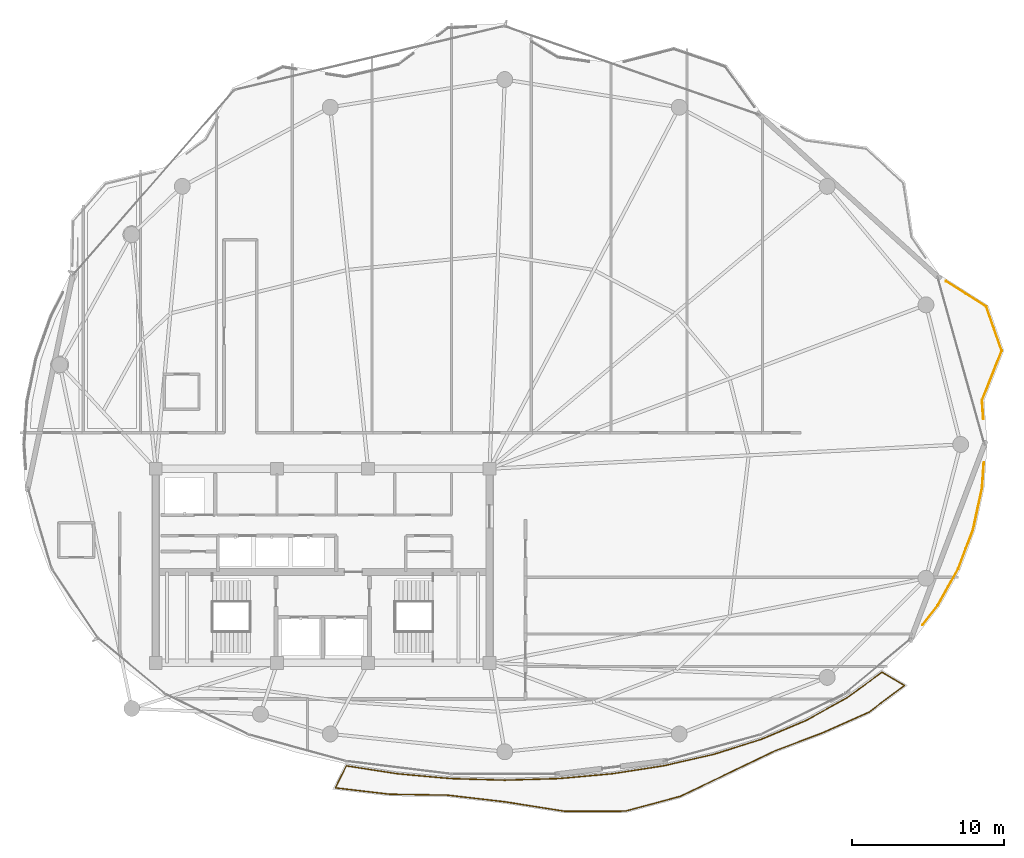
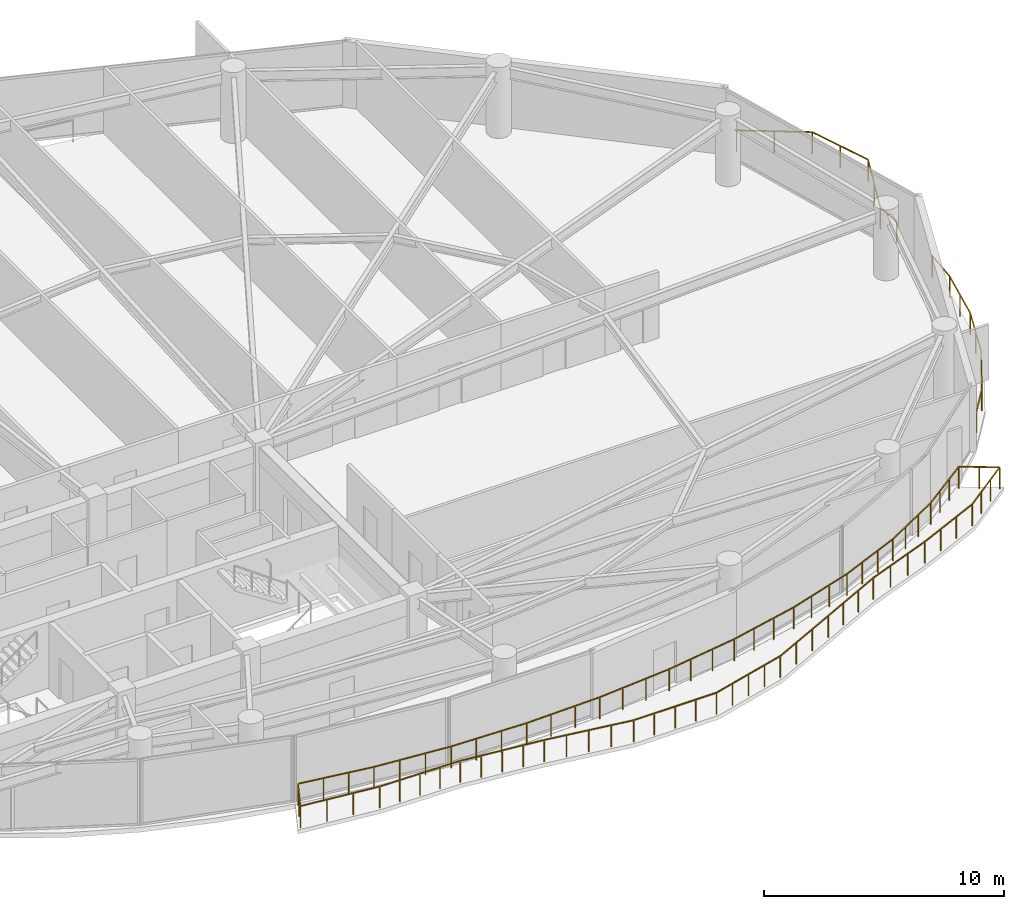
# One storey, part 28 of 29: 3 railings.
"""IFC4 building model written with IfcOpenShell, lengths in metres."""

from ifc_helpers import new_model, si_unit, direction, frame, origin, origin_2d, place, context, subcontext, project, spatial, rectangle, extrude, material, type_object, element, save


model = new_model("IFC4")

# Units and contexts
model_context = context("Model", 3, precision=1e-05, world=origin(), true_north=direction((0.0, 1.0)))
body_context = subcontext(model_context, "Body", "Model", "MODEL_VIEW")
ifc_project = project(units=[si_unit("LENGTHUNIT", "METRE"), si_unit("AREAUNIT", "SQUARE_METRE"), si_unit("VOLUMEUNIT", "CUBIC_METRE"), si_unit("PLANEANGLEUNIT", "RADIAN"), si_unit("MASSUNIT", "GRAM", prefix="KILO")], contexts=[model_context])

# Site, building, storey
site_placement = place(None, origin())
site = spatial("IfcSite", under=ifc_project, at=site_placement, CompositionType="ELEMENT")
building_placement = place(site_placement, origin())
building = spatial("IfcBuilding", under=site, at=building_placement, Name="Kazevale Care Tower and Concert Hall", CompositionType="ELEMENT")
storey_placement = place(building_placement, frame((0.0, 0.0, 199.199951171875)))
storey = spatial("IfcBuildingStorey", under=building, at=storey_placement, Name="L52", CompositionType="ELEMENT", Elevation=199.199951171875)

# Railings
ifc_material = material(Name="Anodised Bronze Aluminium and Laminated Glass", Category="aluminium")
railing_type = type_object("IfcRailingType", Name="Balcony and Terrace Balustrade 1120", PredefinedType="BALUSTRADE", material=ifc_material)
railing_1_placement = place(storey_placement, frame((76.576904296875, 36.81103515625, 0.0)))
element("IfcRailing", 1, at=railing_1_placement, inside=storey, type_object=railing_type, Name="rail:L52:perim:10", PredefinedType="BALUSTRADE", context=body_context, shape_type="SweptSolid", body=[
    extrude(rectangle(XDim=0.048095703125, YDim=0.048095703125, at=origin_2d()), frame((0.0, 0.0, 1.09619140625), z_axis=(-0.069683140934, -0.997569175481, 0.0), x_axis=(0.997569175481, -0.069683140934, 0.0)), (0.0, 0.0, 1.0), 1.664306640625),
    extrude(rectangle(XDim=0.048095703125, YDim=0.048095703125, at=origin_2d()), frame((-0.115966796875, -1.66015625, 1.09619140625), z_axis=(-0.210886672564, -0.97751051725, 0.0), x_axis=(0.97751051725, -0.210886672564, 0.0)), (0.0, 0.0, 1.0), 2.81201171875),
    extrude(rectangle(XDim=0.048095703125, YDim=0.048095703125, at=origin_2d()), frame((-0.708984375, -4.408935546875, 1.09619140625), z_axis=(-0.352914941795, -0.935655408715, 0.0), x_axis=(0.935655408715, -0.352914941795, 0.0)), (0.0, 0.0, 1.0), 2.77685546875),
    extrude(rectangle(XDim=0.048095703125, YDim=0.048095703125, at=origin_2d()), frame((-1.68896484375, -7.007080078125, 1.09619140625), z_axis=(-0.490131162051, -0.871648692987, 0.0), x_axis=(0.871648692987, -0.490131162051, 0.0)), (0.0, 0.0, 1.0), 2.762451171875),
    extrude(rectangle(XDim=0.048095703125, YDim=0.048095703125, at=origin_2d()), frame((-3.04296875, -9.4150390625, 1.09619140625), z_axis=(-0.615507243123, -0.788131228707, 0.0), x_axis=(0.788131228707, -0.615507243123, 0.0)), (0.0, 0.0, 1.0), 1.6279296875),
    extrude(rectangle(XDim=0.0419921875, YDim=0.0419921875, at=origin_2d()), origin(), (0.0, 0.0, 1.0), 1.072021484375),
    extrude(rectangle(XDim=0.0419921875, YDim=0.0419921875, at=origin_2d()), frame((-0.115966796875, -1.66015625, 0.0)), (0.0, 0.0, 1.0), 1.072021484375),
    extrude(rectangle(XDim=0.0419921875, YDim=0.0419921875, at=origin_2d()), frame((-0.41259765625, -3.03466796875, 0.0)), (0.0, 0.0, 1.0), 1.072021484375),
    extrude(rectangle(XDim=0.0419921875, YDim=0.0419921875, at=origin_2d()), frame((-0.708984375, -4.408935546875, 0.0)), (0.0, 0.0, 1.0), 1.072021484375),
    extrude(rectangle(XDim=0.0419921875, YDim=0.0419921875, at=origin_2d()), frame((-1.198974609375, -5.7080078125, 0.0)), (0.0, 0.0, 1.0), 1.072021484375),
    extrude(rectangle(XDim=0.0419921875, YDim=0.0419921875, at=origin_2d()), frame((-1.68896484375, -7.007080078125, 0.0)), (0.0, 0.0, 1.0), 1.072021484375),
    extrude(rectangle(XDim=0.0419921875, YDim=0.0419921875, at=origin_2d()), frame((-2.365966796875, -8.2109375, 0.0)), (0.0, 0.0, 1.0), 1.072021484375),
    extrude(rectangle(XDim=0.0419921875, YDim=0.0419921875, at=origin_2d()), frame((-3.04296875, -9.4150390625, 0.0)), (0.0, 0.0, 1.0), 1.072021484375),
    extrude(rectangle(XDim=0.0419921875, YDim=0.0419921875, at=origin_2d()), frame((-4.044921875, -10.697998046875, 0.0)), (0.0, 0.0, 1.0), 1.072021484375),
])
railing_2_placement = place(storey_placement, frame((74.073974609375, 48.760009765625, 0.0)))
element("IfcRailing", 2, at=railing_2_placement, inside=storey, type_object=railing_type, Name="rail:L52:perim:11", PredefinedType="BALUSTRADE", context=body_context, shape_type="SweptSolid", body=[
    extrude(rectangle(XDim=0.048095703125, YDim=0.048095703125, at=origin_2d()), frame((0.0, 0.0, 1.09619140625), z_axis=(0.845028885188, -0.534720659034, 0.0), x_axis=(0.534720659034, 0.845028885188, 0.0)), (0.0, 0.0, 1.0), 3.155029296875),
    extrude(rectangle(XDim=0.048095703125, YDim=0.048095703125, at=origin_2d()), frame((2.666015625, -1.68701171875, 1.09619140625), z_axis=(0.330541862018, -0.943791331521, 0.0), x_axis=(0.943791331521, 0.330541862018, 0.0)), (0.0, 0.0, 1.0), 3.0673828125),
    extrude(rectangle(XDim=0.048095703125, YDim=0.048095703125, at=origin_2d()), frame((3.679931640625, -4.58203125, 1.09619140625), z_axis=(-0.368706440166, -0.929545889658, 0.0), x_axis=(0.929545889658, -0.368706440166, 0.0)), (0.0, 0.0, 1.0), 3.5146484375),
    extrude(rectangle(XDim=0.048095703125, YDim=0.048095703125, at=origin_2d()), frame((2.384033203125, -7.84912109375, 1.09619140625), z_axis=(0.069088253147, -0.997610551907, 0.0), x_axis=(0.997610551907, 0.069088253147, 0.0)), (0.0, 0.0, 1.0), 1.229736328125),
    extrude(rectangle(XDim=0.0419921875, YDim=0.0419921875, at=origin_2d()), origin(), (0.0, 0.0, 1.0), 1.072021484375),
    extrude(rectangle(XDim=0.0419921875, YDim=0.0419921875, at=origin_2d()), frame((1.3330078125, -0.843505859375, 0.0)), (0.0, 0.0, 1.0), 1.072021484375),
    extrude(rectangle(XDim=0.0419921875, YDim=0.0419921875, at=origin_2d()), frame((2.666015625, -1.68701171875, 0.0)), (0.0, 0.0, 1.0), 1.072021484375),
    extrude(rectangle(XDim=0.0419921875, YDim=0.0419921875, at=origin_2d()), frame((3.1728515625, -3.134521484375, 0.0)), (0.0, 0.0, 1.0), 1.072021484375),
    extrude(rectangle(XDim=0.0419921875, YDim=0.0419921875, at=origin_2d()), frame((3.679931640625, -4.58203125, 0.0)), (0.0, 0.0, 1.0), 1.072021484375),
    extrude(rectangle(XDim=0.0419921875, YDim=0.0419921875, at=origin_2d()), frame((3.031982421875, -6.215576171875, 0.0)), (0.0, 0.0, 1.0), 1.072021484375),
    extrude(rectangle(XDim=0.0419921875, YDim=0.0419921875, at=origin_2d()), frame((2.384033203125, -7.84912109375, 0.0)), (0.0, 0.0, 1.0), 1.072021484375),
    extrude(rectangle(XDim=0.0419921875, YDim=0.0419921875, at=origin_2d()), frame((2.468994140625, -9.075927734375, 0.0)), (0.0, 0.0, 1.0), 1.072021484375),
])
railing_3_placement = place(storey_placement, frame((34.56298828125, 16.819091796875, 0.0)))
element("IfcRailing", 3, at=railing_3_placement, inside=storey, type_object=railing_type, Name="rail:L52:balcony", PredefinedType="BALUSTRADE", context=body_context, shape_type="SweptSolid", body=[
    extrude(rectangle(XDim=0.048095703125, YDim=0.048095703125, at=origin_2d()), frame((0.0, 0.0, 1.09619140625), z_axis=(0.988093340761, -0.15385561395, 0.0), x_axis=(0.15385561395, 0.988093340761, 0.0)), (0.0, 0.0, 1.0), 3.38623046875),
    extrude(rectangle(XDim=0.048095703125, YDim=0.048095703125, at=origin_2d()), frame((3.345947265625, -0.52099609375, 1.09619140625), z_axis=(0.995947899496, -0.089932093766, 0.0), x_axis=(0.089932093766, 0.995947899496, 0.0)), (0.0, 0.0, 1.0), 3.537353515625),
    extrude(rectangle(XDim=0.048095703125, YDim=0.048095703125, at=origin_2d()), frame((6.868896484375, -0.839111328125, 1.09619140625), z_axis=(0.999567458851, -0.029409100739, 0.0), x_axis=(0.029409100739, 0.999567458851, 0.0)), (0.0, 0.0, 1.0), 3.569580078125),
    extrude(rectangle(XDim=0.048095703125, YDim=0.048095703125, at=origin_2d()), frame((10.43701171875, -0.944091796875, 1.09619140625), z_axis=(0.999567458851, 0.029409100739, 0.0), x_axis=(-0.029409100739, 0.999567458851, 0.0)), (0.0, 0.0, 1.0), 3.569580078125),
    extrude(rectangle(XDim=0.048095703125, YDim=0.048095703125, at=origin_2d()), frame((14.005126953125, -0.839111328125, 1.09619140625), z_axis=(0.995947899496, 0.089932093766, 0.0), x_axis=(-0.089932093766, 0.995947899496, 0.0)), (0.0, 0.0, 1.0), 3.537353515625),
    extrude(rectangle(XDim=0.048095703125, YDim=0.048095703125, at=origin_2d()), frame((17.528076171875, -0.52099609375, 1.09619140625), z_axis=(0.988098216207, 0.153824299539, 0.0), x_axis=(-0.153824299539, 0.988098216207, 0.0)), (0.0, 0.0, 1.0), 3.4775390625),
    extrude(rectangle(XDim=0.048095703125, YDim=0.048095703125, at=origin_2d()), frame((20.964111328125, 0.013916015625, 1.09619140625), z_axis=(0.974534254558, 0.224238682418, 0.0), x_axis=(-0.224238682418, 0.974534254558, 0.0)), (0.0, 0.0, 1.0), 3.389404296875),
    extrude(rectangle(XDim=0.048095703125, YDim=0.048095703125, at=origin_2d()), frame((24.26708984375, 0.77392578125, 1.09619140625), z_axis=(0.953239514235, 0.302215864078, 0.0), x_axis=(-0.302215864078, 0.953239514235, 0.0)), (0.0, 0.0, 1.0), 3.285400390625),
    extrude(rectangle(XDim=0.048095703125, YDim=0.048095703125, at=origin_2d()), frame((27.39892578125, 1.766845703125, 1.09619140625), z_axis=(0.921006567992, 0.389547046858, 0.0), x_axis=(-0.389547046858, 0.921006567992, 0.0)), (0.0, 0.0, 1.0), 3.170654296875),
    extrude(rectangle(XDim=0.048095703125, YDim=0.048095703125, at=origin_2d()), frame((30.319091796875, 3.001953125, 1.09619140625), z_axis=(0.874149737903, 0.485656499724, 0.0), x_axis=(-0.485656499724, 0.874149737903, 0.0)), (0.0, 0.0, 1.0), 3.055419921875),
    extrude(rectangle(XDim=0.048095703125, YDim=0.048095703125, at=origin_2d()), frame((32.989990234375, 4.48583984375, 1.09619140625), z_axis=(0.809111467971, 0.587655198562, 0.0), x_axis=(-0.587655198562, 0.809111467971, 0.0)), (0.0, 0.0, 1.0), 2.867431640625),
    extrude(rectangle(XDim=0.048095703125, YDim=0.048095703125, at=origin_2d()), frame((35.31005859375, 6.1708984375, 1.09619140625), z_axis=(0.858501274941, -0.512811428231, 0.0), x_axis=(0.512811428231, 0.858501274941, 0.0)), (0.0, 0.0, 1.0), 1.706298828125),
    extrude(rectangle(XDim=0.048095703125, YDim=0.048095703125, at=origin_2d()), frame((36.77490234375, 5.2958984375, 1.09619140625), z_axis=(-0.798998472515, -0.60133305324, 0.0), x_axis=(0.60133305324, -0.798998472515, 0.0)), (0.0, 0.0, 1.0), 2.928466796875),
    extrude(rectangle(XDim=0.048095703125, YDim=0.048095703125, at=origin_2d()), frame((34.43505859375, 3.534912109375, 1.09619140625), z_axis=(-0.913634171515, -0.406537329947, 0.0), x_axis=(0.406537329947, -0.913634171515, 0.0)), (0.0, 0.0, 1.0), 3.350341796875),
    extrude(rectangle(XDim=0.048095703125, YDim=0.048095703125, at=origin_2d()), frame((31.3740234375, 2.1728515625, 1.09619140625), z_axis=(-0.935008233728, -0.35462600421, 0.0), x_axis=(0.35462600421, -0.935008233728, 0.0)), (0.0, 0.0, 1.0), 3.38916015625),
    extrude(rectangle(XDim=0.048095703125, YDim=0.048095703125, at=origin_2d()), frame((28.205078125, 0.970947265625, 1.09619140625), z_axis=(-0.900843112314, -0.434144776539, 0.0), x_axis=(0.434144776539, -0.900843112314, 0.0)), (0.0, 0.0, 1.0), 3.3447265625),
    extrude(rectangle(XDim=0.048095703125, YDim=0.048095703125, at=origin_2d()), frame((25.19189453125, -0.481201171875, 1.09619140625), z_axis=(-0.901317076738, -0.433159932565, 0.0), x_axis=(0.433159932565, -0.901317076738, 0.0)), (0.0, 0.0, 1.0), 3.515869140625),
    extrude(rectangle(XDim=0.048095703125, YDim=0.048095703125, at=origin_2d()), frame((22.02294921875, -2.004150390625, 1.09619140625), z_axis=(-0.965580087265, -0.260105930493, 0.0), x_axis=(0.260105930493, -0.965580087265, 0.0)), (0.0, 0.0, 1.0), 3.767578125),
    extrude(rectangle(XDim=0.048095703125, YDim=0.048095703125, at=origin_2d()), frame((18.385009765625, -2.984130859375, 1.09619140625), z_axis=(-0.999997959398, -0.002020197898, 0.0), x_axis=(0.002020197898, -0.999997959398, 0.0)), (0.0, 0.0, 1.0), 3.988037109375),
    extrude(rectangle(XDim=0.048095703125, YDim=0.048095703125, at=origin_2d()), frame((14.39697265625, -2.9921875, 1.09619140625), z_axis=(-0.987787742655, 0.155805569412, 0.0), x_axis=(-0.155805569412, -0.987787742655, 0.0)), (0.0, 0.0, 1.0), 3.99267578125),
    extrude(rectangle(XDim=0.048095703125, YDim=0.048095703125, at=origin_2d()), frame((10.453125, -2.3701171875, 1.09619140625), z_axis=(-0.993345948438, 0.115168688115, 0.0), x_axis=(-0.115168688115, -0.993345948438, 0.0)), (0.0, 0.0, 1.0), 3.8115234375),
    extrude(rectangle(XDim=0.048095703125, YDim=0.048095703125, at=origin_2d()), frame((6.6669921875, -1.93115234375, 1.09619140625), z_axis=(-0.999876497549, 0.015715904313, 0.0), x_axis=(-0.015715904313, -0.999876497549, 0.0)), (0.0, 0.0, 1.0), 3.821533203125),
    extrude(rectangle(XDim=0.048095703125, YDim=0.048095703125, at=origin_2d()), frame((2.845947265625, -1.87109375, 1.09619140625), z_axis=(-0.993152458718, 0.116825484133, 0.0), x_axis=(-0.116825484133, -0.993152458718, 0.0)), (0.0, 0.0, 1.0), 3.594482421875),
    extrude(rectangle(XDim=0.048095703125, YDim=0.048095703125, at=origin_2d()), frame((-0.723876953125, -1.451171875, 1.09619140625), z_axis=(0.446370336507, 0.894848323844, 0.0), x_axis=(-0.894848323844, 0.446370336507, 0.0)), (0.0, 0.0, 1.0), 1.62158203125),
    extrude(rectangle(XDim=0.0419921875, YDim=0.0419921875, at=origin_2d()), origin(), (0.0, 0.0, 1.0), 1.072021484375),
    extrude(rectangle(XDim=0.0419921875, YDim=0.0419921875, at=origin_2d()), frame((1.115234375, -0.173583984375, 0.0)), (0.0, 0.0, 1.0), 1.072021484375),
    extrude(rectangle(XDim=0.0419921875, YDim=0.0419921875, at=origin_2d()), frame((2.230712890625, -0.347412109375, 0.0)), (0.0, 0.0, 1.0), 1.072021484375),
    extrude(rectangle(XDim=0.0419921875, YDim=0.0419921875, at=origin_2d()), frame((3.345947265625, -0.52099609375, 0.0)), (0.0, 0.0, 1.0), 1.072021484375),
    extrude(rectangle(XDim=0.0419921875, YDim=0.0419921875, at=origin_2d()), frame((4.520263671875, -0.626953125, 0.0)), (0.0, 0.0, 1.0), 1.072021484375),
    extrude(rectangle(XDim=0.0419921875, YDim=0.0419921875, at=origin_2d()), frame((5.694580078125, -0.733154296875, 0.0)), (0.0, 0.0, 1.0), 1.072021484375),
    extrude(rectangle(XDim=0.0419921875, YDim=0.0419921875, at=origin_2d()), frame((6.868896484375, -0.839111328125, 0.0)), (0.0, 0.0, 1.0), 1.072021484375),
    extrude(rectangle(XDim=0.0419921875, YDim=0.0419921875, at=origin_2d()), frame((8.058349609375, -0.8740234375, 0.0)), (0.0, 0.0, 1.0), 1.072021484375),
    extrude(rectangle(XDim=0.0419921875, YDim=0.0419921875, at=origin_2d()), frame((9.24755859375, -0.9091796875, 0.0)), (0.0, 0.0, 1.0), 1.072021484375),
    extrude(rectangle(XDim=0.0419921875, YDim=0.0419921875, at=origin_2d()), frame((10.43701171875, -0.944091796875, 0.0)), (0.0, 0.0, 1.0), 1.072021484375),
    extrude(rectangle(XDim=0.0419921875, YDim=0.0419921875, at=origin_2d()), frame((11.62646484375, -0.9091796875, 0.0)), (0.0, 0.0, 1.0), 1.072021484375),
    extrude(rectangle(XDim=0.0419921875, YDim=0.0419921875, at=origin_2d()), frame((12.815673828125, -0.8740234375, 0.0)), (0.0, 0.0, 1.0), 1.072021484375),
    extrude(rectangle(XDim=0.0419921875, YDim=0.0419921875, at=origin_2d()), frame((14.005126953125, -0.839111328125, 0.0)), (0.0, 0.0, 1.0), 1.072021484375),
    extrude(rectangle(XDim=0.0419921875, YDim=0.0419921875, at=origin_2d()), frame((15.179443359375, -0.733154296875, 0.0)), (0.0, 0.0, 1.0), 1.072021484375),
    extrude(rectangle(XDim=0.0419921875, YDim=0.0419921875, at=origin_2d()), frame((16.353759765625, -0.626953125, 0.0)), (0.0, 0.0, 1.0), 1.072021484375),
    extrude(rectangle(XDim=0.0419921875, YDim=0.0419921875, at=origin_2d()), frame((17.528076171875, -0.52099609375, 0.0)), (0.0, 0.0, 1.0), 1.072021484375),
    extrude(rectangle(XDim=0.0419921875, YDim=0.0419921875, at=origin_2d()), frame((18.67333984375, -0.3427734375, 0.0)), (0.0, 0.0, 1.0), 1.072021484375),
    extrude(rectangle(XDim=0.0419921875, YDim=0.0419921875, at=origin_2d()), frame((19.81884765625, -0.164306640625, 0.0)), (0.0, 0.0, 1.0), 1.072021484375),
    extrude(rectangle(XDim=0.0419921875, YDim=0.0419921875, at=origin_2d()), frame((20.964111328125, 0.013916015625, 0.0)), (0.0, 0.0, 1.0), 1.072021484375),
    extrude(rectangle(XDim=0.0419921875, YDim=0.0419921875, at=origin_2d()), frame((22.065185546875, 0.267333984375, 0.0)), (0.0, 0.0, 1.0), 1.072021484375),
    extrude(rectangle(XDim=0.0419921875, YDim=0.0419921875, at=origin_2d()), frame((23.166015625, 0.5205078125, 0.0)), (0.0, 0.0, 1.0), 1.072021484375),
    extrude(rectangle(XDim=0.0419921875, YDim=0.0419921875, at=origin_2d()), frame((24.26708984375, 0.77392578125, 0.0)), (0.0, 0.0, 1.0), 1.072021484375),
    extrude(rectangle(XDim=0.0419921875, YDim=0.0419921875, at=origin_2d()), frame((25.31103515625, 1.10498046875, 0.0)), (0.0, 0.0, 1.0), 1.072021484375),
    extrude(rectangle(XDim=0.0419921875, YDim=0.0419921875, at=origin_2d()), frame((26.35498046875, 1.435791015625, 0.0)), (0.0, 0.0, 1.0), 1.072021484375),
    extrude(rectangle(XDim=0.0419921875, YDim=0.0419921875, at=origin_2d()), frame((27.39892578125, 1.766845703125, 0.0)), (0.0, 0.0, 1.0), 1.072021484375),
    extrude(rectangle(XDim=0.0419921875, YDim=0.0419921875, at=origin_2d()), frame((28.372314453125, 2.178466796875, 0.0)), (0.0, 0.0, 1.0), 1.072021484375),
    extrude(rectangle(XDim=0.0419921875, YDim=0.0419921875, at=origin_2d()), frame((29.345703125, 2.59033203125, 0.0)), (0.0, 0.0, 1.0), 1.072021484375),
    extrude(rectangle(XDim=0.0419921875, YDim=0.0419921875, at=origin_2d()), frame((30.319091796875, 3.001953125, 0.0)), (0.0, 0.0, 1.0), 1.072021484375),
    extrude(rectangle(XDim=0.0419921875, YDim=0.0419921875, at=origin_2d()), frame((31.20947265625, 3.49658203125, 0.0)), (0.0, 0.0, 1.0), 1.072021484375),
    extrude(rectangle(XDim=0.0419921875, YDim=0.0419921875, at=origin_2d()), frame((32.099609375, 3.9912109375, 0.0)), (0.0, 0.0, 1.0), 1.072021484375),
    extrude(rectangle(XDim=0.0419921875, YDim=0.0419921875, at=origin_2d()), frame((32.989990234375, 4.48583984375, 0.0)), (0.0, 0.0, 1.0), 1.072021484375),
    extrude(rectangle(XDim=0.0419921875, YDim=0.0419921875, at=origin_2d()), frame((33.763427734375, 5.047607421875, 0.0)), (0.0, 0.0, 1.0), 1.072021484375),
    extrude(rectangle(XDim=0.0419921875, YDim=0.0419921875, at=origin_2d()), frame((34.53662109375, 5.609130859375, 0.0)), (0.0, 0.0, 1.0), 1.072021484375),
    extrude(rectangle(XDim=0.0419921875, YDim=0.0419921875, at=origin_2d()), frame((35.31005859375, 6.1708984375, 0.0)), (0.0, 0.0, 1.0), 1.072021484375),
    extrude(rectangle(XDim=0.0419921875, YDim=0.0419921875, at=origin_2d()), frame((36.04248046875, 5.7333984375, 0.0)), (0.0, 0.0, 1.0), 1.072021484375),
    extrude(rectangle(XDim=0.0419921875, YDim=0.0419921875, at=origin_2d()), frame((36.77490234375, 5.2958984375, 0.0)), (0.0, 0.0, 1.0), 1.072021484375),
    extrude(rectangle(XDim=0.0419921875, YDim=0.0419921875, at=origin_2d()), frame((35.994873046875, 4.708984375, 0.0)), (0.0, 0.0, 1.0), 1.072021484375),
    extrude(rectangle(XDim=0.0419921875, YDim=0.0419921875, at=origin_2d()), frame((35.215087890625, 4.121826171875, 0.0)), (0.0, 0.0, 1.0), 1.072021484375),
    extrude(rectangle(XDim=0.0419921875, YDim=0.0419921875, at=origin_2d()), frame((34.43505859375, 3.534912109375, 0.0)), (0.0, 0.0, 1.0), 1.072021484375),
    extrude(rectangle(XDim=0.0419921875, YDim=0.0419921875, at=origin_2d()), frame((33.414794921875, 3.080810546875, 0.0)), (0.0, 0.0, 1.0), 1.072021484375),
    extrude(rectangle(XDim=0.0419921875, YDim=0.0419921875, at=origin_2d()), frame((32.394287109375, 2.626953125, 0.0)), (0.0, 0.0, 1.0), 1.072021484375),
    extrude(rectangle(XDim=0.0419921875, YDim=0.0419921875, at=origin_2d()), frame((31.3740234375, 2.1728515625, 0.0)), (0.0, 0.0, 1.0), 1.072021484375),
    extrude(rectangle(XDim=0.0419921875, YDim=0.0419921875, at=origin_2d()), frame((30.317626953125, 1.772216796875, 0.0)), (0.0, 0.0, 1.0), 1.072021484375),
    extrude(rectangle(XDim=0.0419921875, YDim=0.0419921875, at=origin_2d()), frame((29.261474609375, 1.37158203125, 0.0)), (0.0, 0.0, 1.0), 1.072021484375),
    extrude(rectangle(XDim=0.0419921875, YDim=0.0419921875, at=origin_2d()), frame((28.205078125, 0.970947265625, 0.0)), (0.0, 0.0, 1.0), 1.072021484375),
    extrude(rectangle(XDim=0.0419921875, YDim=0.0419921875, at=origin_2d()), frame((27.20068359375, 0.48681640625, 0.0)), (0.0, 0.0, 1.0), 1.072021484375),
    extrude(rectangle(XDim=0.0419921875, YDim=0.0419921875, at=origin_2d()), frame((26.1962890625, 0.0029296875, 0.0)), (0.0, 0.0, 1.0), 1.072021484375),
    extrude(rectangle(XDim=0.0419921875, YDim=0.0419921875, at=origin_2d()), frame((25.19189453125, -0.481201171875, 0.0)), (0.0, 0.0, 1.0), 1.072021484375),
    extrude(rectangle(XDim=0.0419921875, YDim=0.0419921875, at=origin_2d()), frame((24.135498046875, -0.98876953125, 0.0)), (0.0, 0.0, 1.0), 1.072021484375),
    extrude(rectangle(XDim=0.0419921875, YDim=0.0419921875, at=origin_2d()), frame((23.079345703125, -1.49658203125, 0.0)), (0.0, 0.0, 1.0), 1.072021484375),
    extrude(rectangle(XDim=0.0419921875, YDim=0.0419921875, at=origin_2d()), frame((22.02294921875, -2.004150390625, 0.0)), (0.0, 0.0, 1.0), 1.072021484375),
    extrude(rectangle(XDim=0.0419921875, YDim=0.0419921875, at=origin_2d()), frame((21.113525390625, -2.2490234375, 0.0)), (0.0, 0.0, 1.0), 1.072021484375),
    extrude(rectangle(XDim=0.0419921875, YDim=0.0419921875, at=origin_2d()), frame((20.2041015625, -2.494140625, 0.0)), (0.0, 0.0, 1.0), 1.072021484375),
    extrude(rectangle(XDim=0.0419921875, YDim=0.0419921875, at=origin_2d()), frame((19.29443359375, -2.7392578125, 0.0)), (0.0, 0.0, 1.0), 1.072021484375),
    extrude(rectangle(XDim=0.0419921875, YDim=0.0419921875, at=origin_2d()), frame((18.385009765625, -2.984130859375, 0.0)), (0.0, 0.0, 1.0), 1.072021484375),
    extrude(rectangle(XDim=0.0419921875, YDim=0.0419921875, at=origin_2d()), frame((17.387939453125, -2.986083984375, 0.0)), (0.0, 0.0, 1.0), 1.072021484375),
    extrude(rectangle(XDim=0.0419921875, YDim=0.0419921875, at=origin_2d()), frame((16.39111328125, -2.98828125, 0.0)), (0.0, 0.0, 1.0), 1.072021484375),
    extrude(rectangle(XDim=0.0419921875, YDim=0.0419921875, at=origin_2d()), frame((15.39404296875, -2.990234375, 0.0)), (0.0, 0.0, 1.0), 1.072021484375),
    extrude(rectangle(XDim=0.0419921875, YDim=0.0419921875, at=origin_2d()), frame((14.39697265625, -2.9921875, 0.0)), (0.0, 0.0, 1.0), 1.072021484375),
    extrude(rectangle(XDim=0.0419921875, YDim=0.0419921875, at=origin_2d()), frame((13.4111328125, -2.836669921875, 0.0)), (0.0, 0.0, 1.0), 1.072021484375),
    extrude(rectangle(XDim=0.0419921875, YDim=0.0419921875, at=origin_2d()), frame((12.425048828125, -2.68115234375, 0.0)), (0.0, 0.0, 1.0), 1.072021484375),
    extrude(rectangle(XDim=0.0419921875, YDim=0.0419921875, at=origin_2d()), frame((11.43896484375, -2.525634765625, 0.0)), (0.0, 0.0, 1.0), 1.072021484375),
    extrude(rectangle(XDim=0.0419921875, YDim=0.0419921875, at=origin_2d()), frame((10.453125, -2.3701171875, 0.0)), (0.0, 0.0, 1.0), 1.072021484375),
    extrude(rectangle(XDim=0.0419921875, YDim=0.0419921875, at=origin_2d()), frame((9.506591796875, -2.26025390625, 0.0)), (0.0, 0.0, 1.0), 1.072021484375),
    extrude(rectangle(XDim=0.0419921875, YDim=0.0419921875, at=origin_2d()), frame((8.56005859375, -2.150634765625, 0.0)), (0.0, 0.0, 1.0), 1.072021484375),
    extrude(rectangle(XDim=0.0419921875, YDim=0.0419921875, at=origin_2d()), frame((7.613525390625, -2.041015625, 0.0)), (0.0, 0.0, 1.0), 1.072021484375),
    extrude(rectangle(XDim=0.0419921875, YDim=0.0419921875, at=origin_2d()), frame((6.6669921875, -1.93115234375, 0.0)), (0.0, 0.0, 1.0), 1.072021484375),
    extrude(rectangle(XDim=0.0419921875, YDim=0.0419921875, at=origin_2d()), frame((5.711669921875, -1.916015625, 0.0)), (0.0, 0.0, 1.0), 1.072021484375),
    extrude(rectangle(XDim=0.0419921875, YDim=0.0419921875, at=origin_2d()), frame((4.75634765625, -1.901123046875, 0.0)), (0.0, 0.0, 1.0), 1.072021484375),
    extrude(rectangle(XDim=0.0419921875, YDim=0.0419921875, at=origin_2d()), frame((3.80126953125, -1.88623046875, 0.0)), (0.0, 0.0, 1.0), 1.072021484375),
    extrude(rectangle(XDim=0.0419921875, YDim=0.0419921875, at=origin_2d()), frame((2.845947265625, -1.87109375, 0.0)), (0.0, 0.0, 1.0), 1.072021484375),
    extrude(rectangle(XDim=0.0419921875, YDim=0.0419921875, at=origin_2d()), frame((1.656005859375, -1.731201171875, 0.0)), (0.0, 0.0, 1.0), 1.072021484375),
    extrude(rectangle(XDim=0.0419921875, YDim=0.0419921875, at=origin_2d()), frame((0.466064453125, -1.591064453125, 0.0)), (0.0, 0.0, 1.0), 1.072021484375),
    extrude(rectangle(XDim=0.0419921875, YDim=0.0419921875, at=origin_2d()), frame((-0.723876953125, -1.451171875, 0.0)), (0.0, 0.0, 1.0), 1.072021484375),
    extrude(rectangle(XDim=0.0419921875, YDim=0.0419921875, at=origin_2d()), frame((-0.36181640625, -0.7255859375, 0.0)), (0.0, 0.0, 1.0), 1.072021484375),
])

save(model, "model.ifc")
